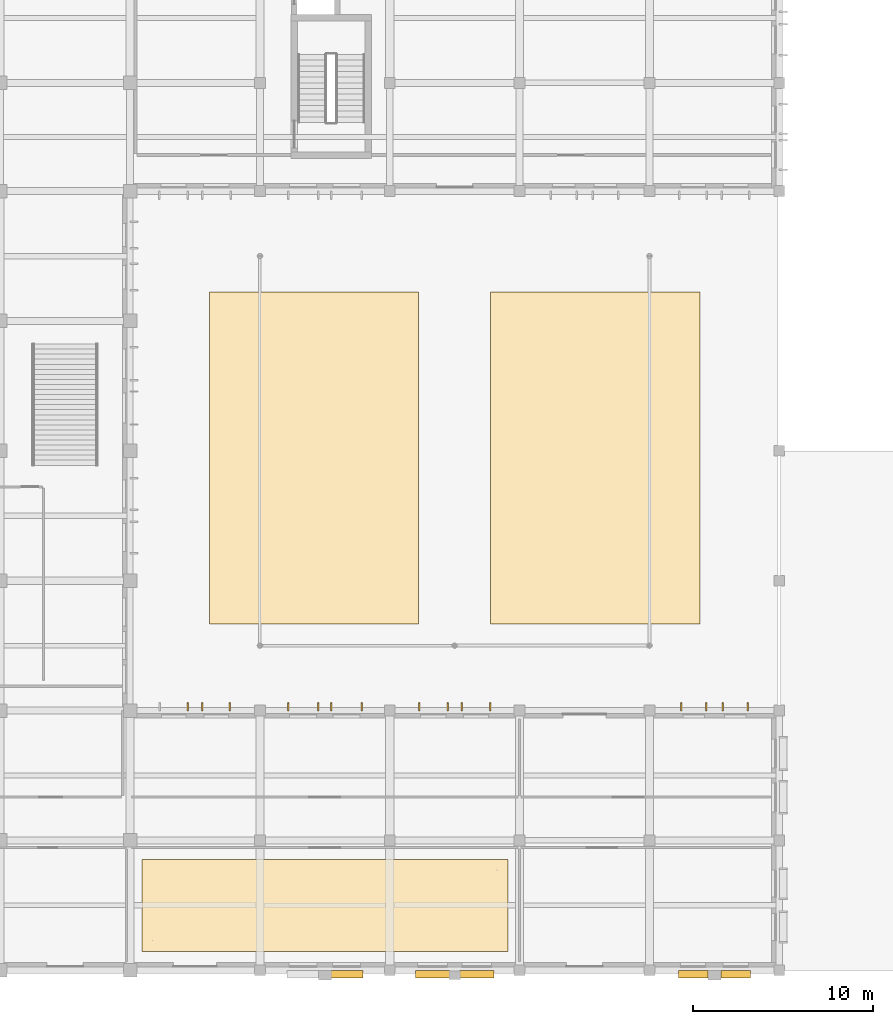
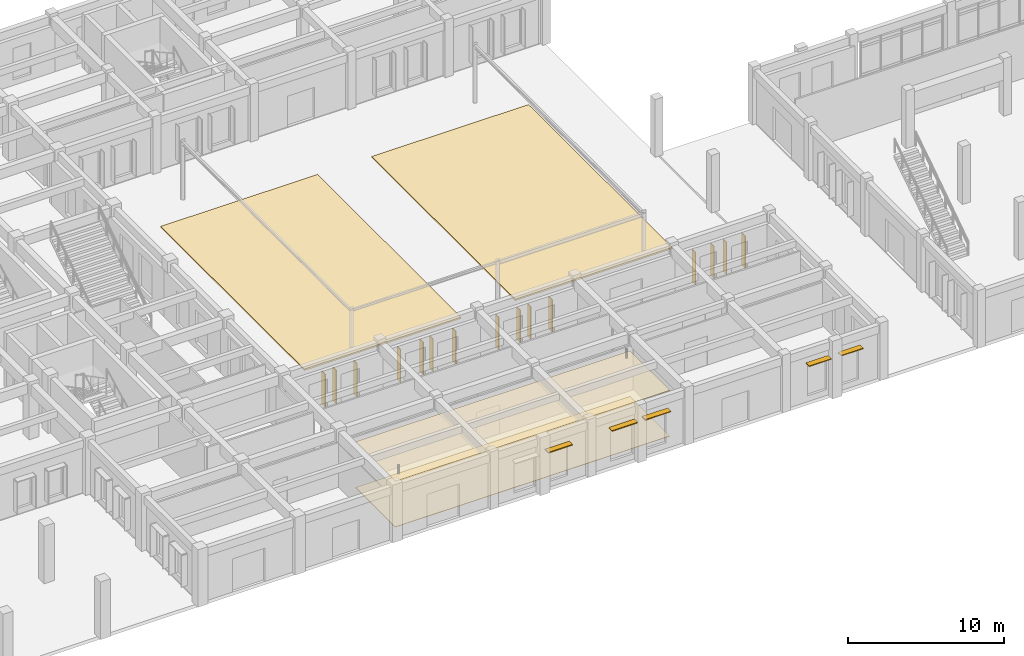
# One storey, part 36 of 43: 19 coverings, 5 shading devices.
"""IFC4 building model written with IfcOpenShell, lengths in metres."""

from ifc_helpers import new_model, si_unit, direction, frame, origin, origin_2d, place, context, subcontext, project, spatial, polyline, rectangle, outline, extrude, material, layer, layer_set, type_object, element, save


model = new_model("IFC4")

# Units and contexts
model_context = context("Model", 3, precision=1e-05, world=origin(), true_north=direction((0.0, 1.0)))
body_context = subcontext(model_context, "Body", "Model", "MODEL_VIEW")
ifc_project = project(units=[si_unit("LENGTHUNIT", "METRE"), si_unit("AREAUNIT", "SQUARE_METRE"), si_unit("VOLUMEUNIT", "CUBIC_METRE"), si_unit("PLANEANGLEUNIT", "RADIAN"), si_unit("MASSUNIT", "GRAM", prefix="KILO")], contexts=[model_context])

# Site, building, storey
site_placement = place(None, origin())
site = spatial("IfcSite", under=ifc_project, at=site_placement, CompositionType="ELEMENT")
building_placement = place(site_placement, origin())
building = spatial("IfcBuilding", under=site, at=building_placement, Name="Alvorim Cloister Faculty of Sciences", CompositionType="ELEMENT")
storey_placement = place(building_placement, origin())
storey = spatial("IfcBuildingStorey", under=building, at=storey_placement, Name="L00", CompositionType="ELEMENT", Elevation=0.0)

# Coverings
ifc_material_1 = material(Name="Perforated Timber Acoustic Ceiling", Category="wood")
ifc_layer_1 = layer(ifc_material_1, 0.030029296875)
ifc_layer_set_1 = layer_set([ifc_layer_1], Name="Perforated Timber Acoustic Ceiling")
covering_type_1 = type_object("IfcCoveringType", Name="COV-CEIL-ACOUSTIC", PredefinedType="CEILING", material=ifc_layer_set_1)
covering_1_placement = place(storey_placement, frame((0.0, 0.0, 3.570068359375)))
element("IfcCovering", 1, at=covering_1_placement, inside=storey, type_object=covering_type_1, Name="Natural History Public Exhibition Gallery Acoustic Ceiling", PredefinedType="CEILING", context=body_context, shape_type="SweptSolid", body=[
    extrude(outline(polyline([(29.449951171875, 1.050048828125), (49.75, 1.050048828125), (49.75, 6.14990234375), (29.449951171875, 6.14990234375), (29.449951171875, 1.050048828125)])), origin(), (0.0, 0.0, 1.0), 0.030029296875),
])
ifc_material_2 = material(Name="Polished Mineral Terrazzo", Category="concrete")
ifc_layer_2 = layer(ifc_material_2, 0.030029296875)
ifc_layer_set_2 = layer_set([ifc_layer_2], Name="Polished Mineral Terrazzo")
covering_type_2 = type_object("IfcCoveringType", Name="COV-FLR-TERRAZZO", PredefinedType="FLOORING", material=ifc_layer_set_2)
covering_2_placement = place(storey_placement, origin())
element("IfcCovering", 2, at=covering_2_placement, inside=storey, type_object=covering_type_2, Name="Natural History Public Exhibition Gallery Floor Finish", PredefinedType="FLOORING", context=body_context, shape_type="SweptSolid", body=[
    extrude(outline(polyline([(29.449951171875, 1.050048828125), (49.75, 1.050048828125), (49.75, 6.14990234375), (29.449951171875, 6.14990234375), (29.449951171875, 1.050048828125)])), origin(), (0.0, 0.0, 1.0), 0.030029296875),
])
ifc_material_3 = material(Name="Intensive Vegetated Substrate", Category="earth")
ifc_layer_3 = layer(ifc_material_3, 0.10009765625)
ifc_layer_set_3 = layer_set([ifc_layer_3], Name="Intensive Vegetated Substrate")
covering_type_3 = type_object("IfcCoveringType", Name="COV-ROOF-GREEN", PredefinedType="ROOFING", material=ifc_layer_set_3)
covering_3_placement = place(storey_placement, frame((0.0, 0.0, -0.080078125)))
element("IfcCovering", 3, at=covering_3_placement, inside=storey, type_object=covering_type_3, Name="Cloister Botanical Parterre 1", PredefinedType="ROOFING", context=body_context, shape_type="SweptSolid", body=[
    extrude(outline(polyline([(33.199951171875, 19.199951171875), (44.800048828125, 19.199951171875), (44.800048828125, 37.60009765625), (33.199951171875, 37.60009765625), (33.199951171875, 19.199951171875)])), origin(), (0.0, 0.0, 1.0), 0.1201171875),
])
covering_4_placement = place(storey_placement, frame((0.0, 0.0, -0.080078125)))
element("IfcCovering", 4, at=covering_4_placement, inside=storey, type_object=covering_type_3, Name="Cloister Botanical Parterre 2", PredefinedType="ROOFING", context=body_context, shape_type="SweptSolid", body=[
    extrude(outline(polyline([(48.800048828125, 19.199951171875), (60.39990234375, 19.199951171875), (60.39990234375, 37.60009765625), (48.800048828125, 37.60009765625), (48.800048828125, 19.199951171875)])), origin(), (0.0, 0.0, 1.0), 0.1201171875),
])
ifc_material_4 = material(Name="Anodised Aluminium Alloy 6063-T6", Category="aluminium")
ifc_layer_4 = layer(ifc_material_4, 0.054931640625)
ifc_layer_set_4 = layer_set([ifc_layer_4], Name="Anodised Aluminium Alloy 6063-T6")
covering_type_4 = type_object("IfcCoveringType", Name="COV-SHD-FIN", PredefinedType="CLADDING", material=ifc_layer_set_4)
for number, where, z_axis, x_axis, name in (
    (5, (31.989990234375, 14.39990234375, 0.389892578125), (0.0, 0.0, 1.0), (0.0, 1.0, 0.0), "L00 Brise-Soleil Vertical Fin COV-FIN-00112"),
    (6, (32.81005859375, 14.39990234375, 0.389892578125), (0.0, 0.0, 1.0), (0.0, 1.0, 0.0), "L00 Brise-Soleil Vertical Fin COV-FIN-00113"),
    (7, (34.340087890625, 14.39990234375, 0.389892578125), (0.0, 0.0, 1.0), (0.0, 1.0, 0.0), "L00 Brise-Soleil Vertical Fin COV-FIN-00114"),
):
    element("IfcCovering", number, at=place(storey_placement, frame(where, z_axis=z_axis, x_axis=x_axis)), inside=storey, type_object=covering_type_4, Name=name, PredefinedType="CLADDING", context=body_context, shape_type="SweptSolid", body=[
        extrude(outline(polyline([(0.0, 0.0), (0.43994140625, 0.0), (0.43994140625, 2.610107421875), (0.0, 2.610107421875), (0.0, 0.0)])), frame((0.0, 0.02734375, 0.0), z_axis=(0.0, -1.0, 0.0), x_axis=(1.0, 0.0, 0.0)), (0.0, 0.0, 1.0), 0.054931640625),
    ])
for number, where, z_axis, x_axis, name in (
    (8, (37.56005859375, 14.39990234375, 0.389892578125), (0.0, 0.0, 1.0), (0.0, 1.0, 0.0), "L00 Brise-Soleil Vertical Fin COV-FIN-00115"),
    (9, (39.239990234375, 14.39990234375, 0.389892578125), (0.0, 0.0, 1.0), (0.0, 1.0, 0.0), "L00 Brise-Soleil Vertical Fin COV-FIN-00116"),
    (10, (39.9599609375, 14.39990234375, 0.389892578125), (0.0, 0.0, 1.0), (0.0, 1.0, 0.0), "L00 Brise-Soleil Vertical Fin COV-FIN-00117"),
    (11, (41.639892578125, 14.39990234375, 0.389892578125), (0.0, 0.0, 1.0), (0.0, 1.0, 0.0), "L00 Brise-Soleil Vertical Fin COV-FIN-00118"),
):
    element("IfcCovering", number, at=place(storey_placement, frame(where, z_axis=z_axis, x_axis=x_axis)), inside=storey, type_object=covering_type_4, Name=name, PredefinedType="CLADDING", context=body_context, shape_type="SweptSolid", body=[
        extrude(outline(polyline([(0.0, 0.0), (0.43994140625, 0.0), (0.43994140625, 2.56005859375), (0.0, 2.56005859375), (0.0, 0.0)])), frame((0.0, 0.02734375, 0.0), z_axis=(0.0, -1.0, 0.0), x_axis=(1.0, 0.0, 0.0)), (0.0, 0.0, 1.0), 0.054931640625),
    ])
for number, where, z_axis, x_axis, name in (
    (12, (44.82666015625, 14.39990234375, 0.389892578125), (0.0, 0.0, 1.0), (0.0, 1.0, 0.0), "L00 Brise-Soleil Vertical Fin COV-FIN-00119"),
    (13, (46.40673828125, 14.39990234375, 0.389892578125), (0.0, 0.0, 1.0), (0.0, 1.0, 0.0), "L00 Brise-Soleil Vertical Fin COV-FIN-00120"),
    (14, (47.193359375, 14.39990234375, 0.389892578125), (0.0, 0.0, 1.0), (0.0, 1.0, 0.0), "L00 Brise-Soleil Vertical Fin COV-FIN-00121"),
    (15, (48.773193359375, 14.39990234375, 0.389892578125), (0.0, 0.0, 1.0), (0.0, 1.0, 0.0), "L00 Brise-Soleil Vertical Fin COV-FIN-00122"),
):
    element("IfcCovering", number, at=place(storey_placement, frame(where, z_axis=z_axis, x_axis=x_axis)), inside=storey, type_object=covering_type_4, Name=name, PredefinedType="CLADDING", context=body_context, shape_type="SweptSolid", body=[
        extrude(outline(polyline([(0.0, 0.0), (0.43994140625, 0.0), (0.43994140625, 2.5400390625), (0.0, 2.5400390625), (0.0, 0.0)])), frame((0.0, 0.02734375, 0.0), z_axis=(0.0, -1.0, 0.0), x_axis=(1.0, 0.0, 0.0)), (0.0, 0.0, 1.0), 0.054931640625),
    ])
for number, where, z_axis, x_axis, name in (
    (16, (59.360107421875, 14.39990234375, 0.389892578125), (0.0, 0.0, 1.0), (0.0, 1.0, 0.0), "L00 Brise-Soleil Vertical Fin COV-FIN-00123"),
    (17, (60.739990234375, 14.39990234375, 0.389892578125), (0.0, 0.0, 1.0), (0.0, 1.0, 0.0), "L00 Brise-Soleil Vertical Fin COV-FIN-00124"),
    (18, (61.659912109375, 14.39990234375, 0.389892578125), (0.0, 0.0, 1.0), (0.0, 1.0, 0.0), "L00 Brise-Soleil Vertical Fin COV-FIN-00125"),
    (19, (63.0400390625, 14.39990234375, 0.389892578125), (0.0, 0.0, 1.0), (0.0, 1.0, 0.0), "L00 Brise-Soleil Vertical Fin COV-FIN-00126"),
):
    element("IfcCovering", number, at=place(storey_placement, frame(where, z_axis=z_axis, x_axis=x_axis)), inside=storey, type_object=covering_type_4, Name=name, PredefinedType="CLADDING", context=body_context, shape_type="SweptSolid", body=[
        extrude(outline(polyline([(0.0, 0.0), (0.43994140625, 0.0), (0.43994140625, 2.510009765625), (0.0, 2.510009765625), (0.0, 0.0)])), frame((0.0, 0.02734375, 0.0), z_axis=(0.0, -1.0, 0.0), x_axis=(1.0, 0.0, 0.0)), (0.0, 0.0, 1.0), 0.054931640625),
    ])

# Shading devices
ifc_material_5 = material(Name="Perforated Bronze Alloy Sheet", Category="metal")
shading_device_type = type_object("IfcShadingDeviceType", Name="SHD-BRZ-FIN", PredefinedType="JALOUSIE", material=ifc_material_5)
for number, where, z_axis, x_axis, name in (
    (20, (60.0166015625, -0.2099609375, 3.02001953125), (0.0, 0.0, 1.0), (1.0, 0.0, 0.0), "L00 Brise-Soleil Sun Hood SHD-0005"),
    (21, (62.38330078125, -0.2099609375, 3.02001953125), (0.0, 0.0, 1.0), (1.0, 0.0, 0.0), "L00 Brise-Soleil Sun Hood SHD-0006"),
):
    element("IfcShadingDevice", number, at=place(storey_placement, frame(where, z_axis=z_axis, x_axis=x_axis)), inside=storey, type_object=shading_device_type, Name=name, PredefinedType="JALOUSIE", context=body_context, shape_type="SweptSolid", body=[
        extrude(rectangle(XDim=1.639892578125, YDim=0.419921875, at=origin_2d()), origin(), (0.0, 0.0, 1.0), 0.06005859375),
    ])
for number, where, z_axis, x_axis, name in (
    (22, (45.574951171875, -0.2099609375, 3.070068359375), (0.0, 0.0, 1.0), (1.0, 0.0, 0.0), "L00 Brise-Soleil Sun Hood SHD-0007"),
    (23, (48.02490234375, -0.2099609375, 3.070068359375), (0.0, 0.0, 1.0), (1.0, 0.0, 0.0), "L00 Brise-Soleil Sun Hood SHD-0008"),
):
    element("IfcShadingDevice", number, at=place(storey_placement, frame(where, z_axis=z_axis, x_axis=x_axis)), inside=storey, type_object=shading_device_type, Name=name, PredefinedType="JALOUSIE", context=body_context, shape_type="SweptSolid", body=[
        extrude(rectangle(XDim=1.889892578125, YDim=0.419921875, at=origin_2d()), origin(), (0.0, 0.0, 1.0), 0.06005859375),
    ])
shading_device_placement = place(storey_placement, frame((40.808349609375, -0.2099609375, 3.02001953125), z_axis=(0.0, 0.0, 1.0), x_axis=(1.0, 0.0, 0.0)))
element("IfcShadingDevice", 24, at=shading_device_placement, inside=storey, type_object=shading_device_type, Name="L00 Brise-Soleil Sun Hood SHD-0010", PredefinedType="JALOUSIE", context=body_context, shape_type="SweptSolid", body=[
    extrude(rectangle(XDim=1.7900390625, YDim=0.419921875, at=origin_2d()), origin(), (0.0, 0.0, 1.0), 0.06005859375),
])

save(model, "model.ifc")
